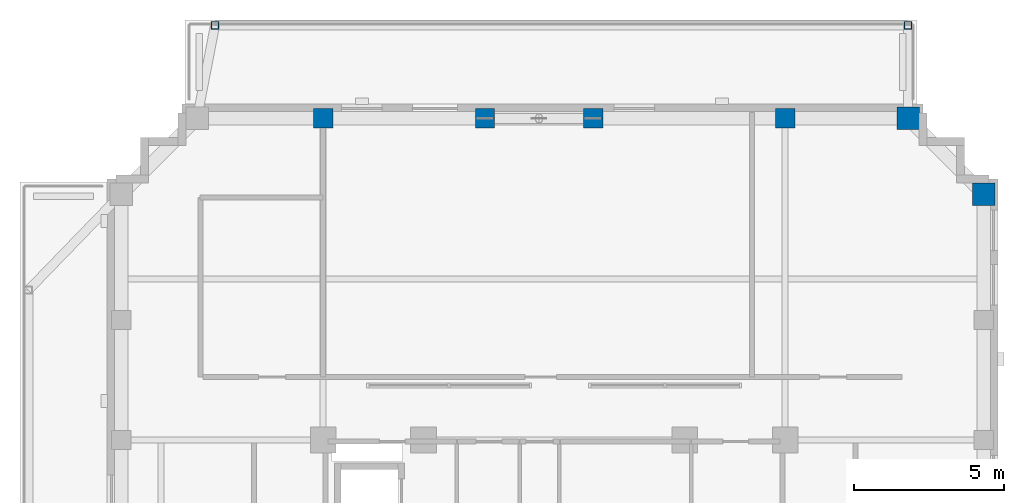
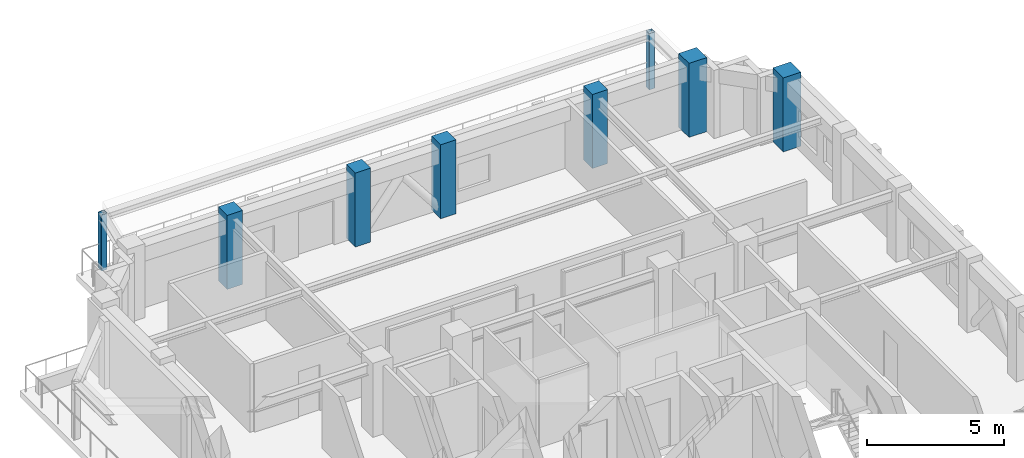
# One storey, part 3 of 14: 8 columns.
"""IFC4 building model written with IfcOpenShell, lengths in metres."""

from ifc_helpers import new_model, si_unit, derived_unit, direction, frame, origin, origin_2d, place, context, subcontext, project, spatial, rectangle, hollow_rectangle, extrude, material, material_profile, profile_set, type_object, element, save


model = new_model("IFC4")

# Units and contexts
model_context = context("Model", 3, precision=1e-05, world=origin(), true_north=direction((0.0, 1.0)))
body_context = subcontext(model_context, "Body", "Model", "MODEL_VIEW")
ifc_project = project(units=[si_unit("LENGTHUNIT", "METRE"), si_unit("AREAUNIT", "SQUARE_METRE"), si_unit("VOLUMEUNIT", "CUBIC_METRE"), si_unit("PLANEANGLEUNIT", "RADIAN"), si_unit("MASSUNIT", "GRAM", prefix="KILO"), derived_unit("THERMALTRANSMITTANCEUNIT", [(si_unit("MASSUNIT", "GRAM", prefix="KILO"), 1), (si_unit("TIMEUNIT", "SECOND"), -3), (si_unit("THERMODYNAMICTEMPERATUREUNIT", "KELVIN"), -1)])], contexts=[model_context])

# Site, building, storey
site_placement = place(None, origin())
site = spatial("IfcSite", under=ifc_project, at=site_placement, CompositionType="ELEMENT")
building_placement = place(site_placement, origin())
building = spatial("IfcBuilding", under=site, at=building_placement, Name="Korrvale Station Residences", CompositionType="ELEMENT")
storey_placement = place(building_placement, frame((0.0, 0.0, 174.39990234375)))
storey = spatial("IfcBuildingStorey", under=building, at=storey_placement, Name="L50", CompositionType="ELEMENT", Elevation=174.39990234375)

# Columns
ifc_material_1 = material(Name="Steel S355", Category="steel")
ifc_material_profile_1 = material_profile(ifc_material_1, hollow_rectangle(XDim=0.25390625, YDim=0.25390625, WallThickness=0.0126953125, InnerFilletRadius=0.0126953125, OuterFilletRadius=0.025390625, at=origin_2d()), Name="HSS254x254x13")
ifc_profile_set_1 = profile_set([ifc_material_profile_1], Name="Steel S355")
column_type_1 = type_object("IfcColumnType", Name="COL-C-HSS254x254x13-S355", PredefinedType="COLUMN", material=ifc_profile_set_1)
for number, where, z_axis, x_axis, name in (
    (1, (14.199951171875, 42.820068359375, 0.0), (0.0, 0.0, 1.0), (1.0, 0.0, 0.0), "L50 Setback Canopy Frame Post 1"),
    (2, (37.300048828125, 42.820068359375, 0.0), (0.0, 0.0, 1.0), (1.0, 0.0, 0.0), "L50 Setback Canopy Frame Post 2"),
):
    element("IfcColumn", number, at=place(storey_placement, frame(where, z_axis=z_axis, x_axis=x_axis)), inside=storey, type_object=column_type_1, Name=name, PredefinedType="COLUMN", context=body_context, shape_type="SweptSolid", body=[
        extrude(hollow_rectangle(XDim=0.25390625, YDim=0.25390625, WallThickness=0.0126953125, InnerFilletRadius=0.0126953125, OuterFilletRadius=0.025390625, at=origin_2d()), origin(), (0.0, 0.0, 1.0), 2.5),
    ])
ifc_material_2 = material(Name="Concrete C50/60", Category="concrete")
ifc_material_profile_2 = material_profile(ifc_material_2, rectangle(XDim=0.64990234375, YDim=0.64990234375, at=origin_2d()), Name="RC650x650")
ifc_profile_set_2 = profile_set([ifc_material_profile_2], Name="Concrete C50/60")
column_type_2 = type_object("IfcColumnType", Name="COL-C-RC650x650-C5060", PredefinedType="COLUMN", material=ifc_profile_set_2)
for number, where, z_axis, x_axis, name in (
    (3, (17.800048828125, 39.719970703125, 0.0), (0.0, 0.0, 1.0), (1.0, 0.0, 0.0), "L50 Bundled-Tube North Column 08"),
    (4, (23.199951171875, 39.719970703125, 0.0), (0.0, 0.0, 1.0), (1.0, 0.0, 0.0), "L50 Bundled-Tube North Column 09"),
    (5, (26.800048828125, 39.719970703125, 0.0), (0.0, 0.0, 1.0), (1.0, 0.0, 0.0), "L50 Bundled-Tube North Column 10"),
    (6, (33.199951171875, 39.719970703125, 0.0), (0.0, 0.0, 1.0), (1.0, 0.0, 0.0), "L50 Bundled-Tube North Column 11"),
):
    element("IfcColumn", number, at=place(storey_placement, frame(where, z_axis=z_axis, x_axis=x_axis)), inside=storey, type_object=column_type_2, Name=name, PredefinedType="COLUMN", context=body_context, shape_type="SweptSolid", body=[
        extrude(rectangle(XDim=0.64990234375, YDim=0.64990234375, at=origin_2d()), origin(), (0.0, 0.0, 1.0), 3.300048828125),
    ])
ifc_material_profile_3 = material_profile(ifc_material_2, rectangle(XDim=0.75, YDim=0.75, at=origin_2d()), Name="RC750x750")
ifc_profile_set_3 = profile_set([ifc_material_profile_3], Name="Concrete C50/60")
column_type_3 = type_object("IfcColumnType", Name="COL-C-RC750x750-C5060", PredefinedType="COLUMN", material=ifc_profile_set_3)
for number, where, z_axis, x_axis, name in (
    (7, (37.300048828125, 39.719970703125, 0.0), (0.0, 0.0, 1.0), (1.0, 0.0, 0.0), "L50 Bundled-Tube North Column 12"),
    (8, (39.820068359375, 37.199951171875, 0.0), (0.0, 0.0, 1.0), (1.0, 0.0, 0.0), "L50 Bundled-Tube East Column 28"),
):
    element("IfcColumn", number, at=place(storey_placement, frame(where, z_axis=z_axis, x_axis=x_axis)), inside=storey, type_object=column_type_3, Name=name, PredefinedType="COLUMN", context=body_context, shape_type="SweptSolid", body=[
        extrude(rectangle(XDim=0.75, YDim=0.75, at=origin_2d()), origin(), (0.0, 0.0, 1.0), 3.300048828125),
    ])

save(model, "model.ifc")
